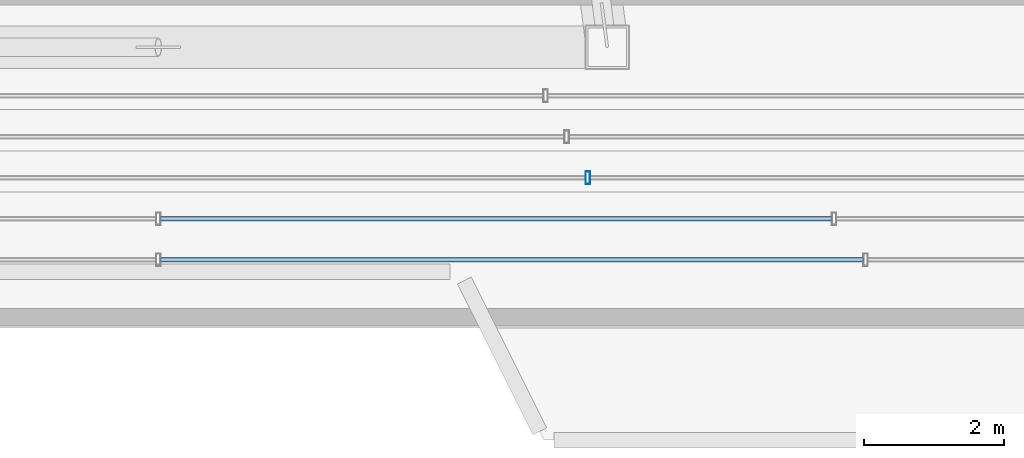
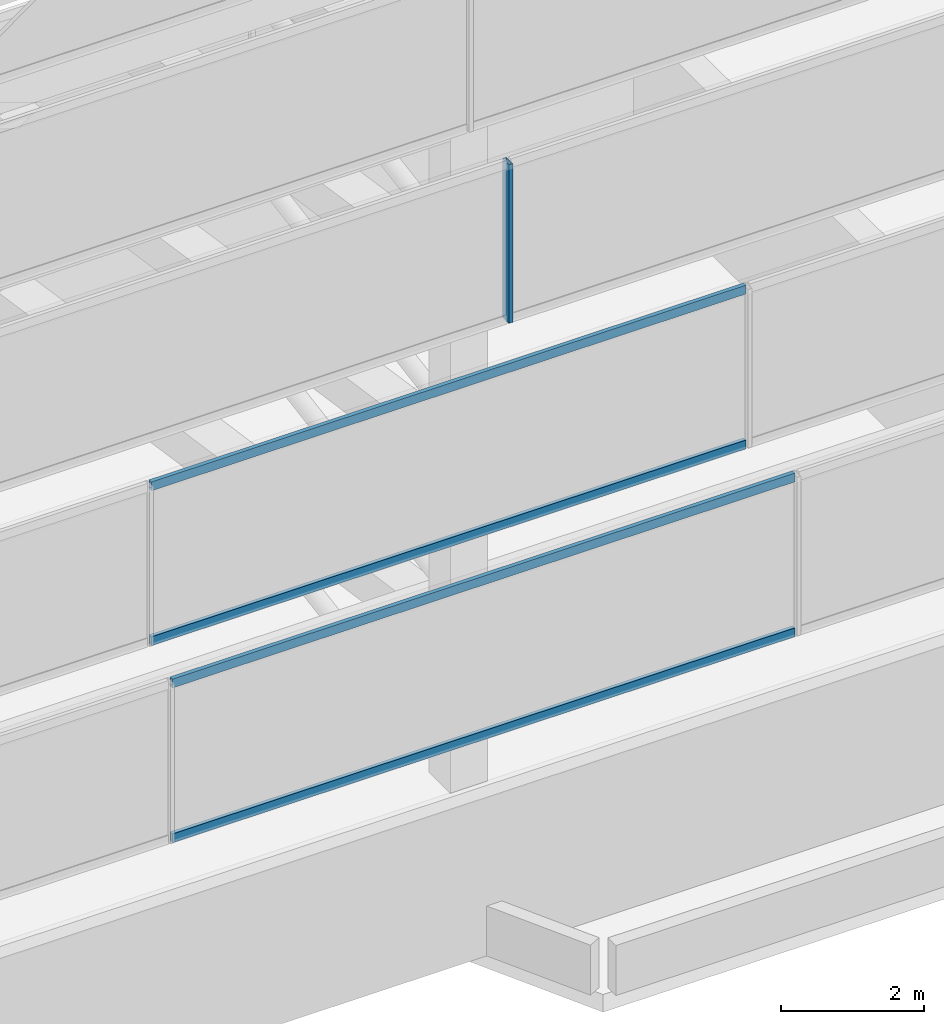
# One storey, part 8 of 29: 5 members, 3 elements without a shape of their own.
"""IFC4 building model written with IfcOpenShell, lengths in metres."""

from ifc_helpers import new_model, si_unit, direction, frame, origin, origin_2d, place, context, subcontext, project, spatial, hollow_rectangle, extrude, material, material_profile, profile_set, type_object, element, aggregate, save


model = new_model("IFC4")

# Units and contexts
model_context = context("Model", 3, precision=1e-05, world=origin(), true_north=direction((0.0, 1.0)))
body_context = subcontext(model_context, "Body", "Model", "MODEL_VIEW")
ifc_project = project(units=[si_unit("LENGTHUNIT", "METRE"), si_unit("AREAUNIT", "SQUARE_METRE"), si_unit("VOLUMEUNIT", "CUBIC_METRE"), si_unit("PLANEANGLEUNIT", "RADIAN"), si_unit("MASSUNIT", "GRAM", prefix="KILO")], contexts=[model_context])

# Site, building, storey
site_placement = place(None, origin())
site = spatial("IfcSite", under=ifc_project, at=site_placement, CompositionType="ELEMENT")
building_placement = place(site_placement, origin())
building = spatial("IfcBuilding", under=site, at=building_placement, Name="Saevonmaru Cultural Tower", CompositionType="ELEMENT")
storey_placement = place(building_placement, frame((0.0, 0.0, 327.60009765625)))
storey = spatial("IfcBuildingStorey", under=building, at=storey_placement, Name="RF", CompositionType="ELEMENT", Elevation=327.60009765625)

# Curtain wall, member
ifc_material = material(Name="Satin Bronze Anodised Aluminium", Category="aluminium")
curtain_wall_type = type_object("IfcCurtainWallType", Name="CW-TYP-B", PredefinedType="NOTDEFINED", material=ifc_material)
curtain_wall_1_placement = place(storey_placement, origin())
curtain_wall_1 = element("IfcCurtainWall", 1, at=curtain_wall_1_placement, inside=storey, type_object=curtain_wall_type, Name="RF Ziggurat Crown Tier 4 Bronze Louvre Screen 1", PredefinedType="NOTDEFINED")
ifc_material_profile_1 = material_profile(ifc_material, hollow_rectangle(XDim=0.06494140625, YDim=0.179931640625, WallThickness=0.00390625, at=origin_2d()), Name="ALU-MULL-180x65x4")
ifc_profile_set_1 = profile_set([ifc_material_profile_1], Name="Satin Bronze Anodised Aluminium")
member_type_1 = type_object("IfcMemberType", Name="ML-CW-180x65", PredefinedType="MULLION", material=ifc_profile_set_1)
member_1_placement = place(storey_placement, frame((36.122314453125, 40.5400390625, 9.0), z_axis=(0.0, 0.0, 1.0), x_axis=(1.0, 0.0, 0.0)))
member_1 = element("IfcMember", 2, at=member_1_placement, type_object=member_type_1, Name="CW-CROWN-T4-1 mullion 3", PredefinedType="MULLION", context=body_context, shape_type="SweptSolid", body=[
    extrude(hollow_rectangle(XDim=0.06494140625, YDim=0.179931640625, WallThickness=0.00390625, at=origin_2d()), origin(), (0.0, 0.0, 1.0), 2.699951171875),
])
aggregate(curtain_wall_1, [member_1])

# Curtain wall, members
curtain_wall_2_placement = place(storey_placement, origin())
curtain_wall_2 = element("IfcCurtainWall", 3, at=curtain_wall_2_placement, inside=storey, type_object=curtain_wall_type, Name="RF Ziggurat Crown Tier 2 Bronze Louvre Screen 1", PredefinedType="NOTDEFINED")
ifc_material_profile_2 = material_profile(ifc_material, hollow_rectangle(XDim=0.06494140625, YDim=0.14990234375, WallThickness=0.00390625, at=origin_2d()), Name="ALU-TRAN-150x65x4")
ifc_profile_set_2 = profile_set([ifc_material_profile_2], Name="Satin Bronze Anodised Aluminium")
member_type_2 = type_object("IfcMemberType", Name="TR-CW-150x65", PredefinedType="USERDEFINED", material=ifc_profile_set_2)
member_2_placement = place(storey_placement, frame((30.032470703125, 39.3701171875, 3.032470703125), z_axis=(1.0, 0.0, 0.0), x_axis=(0.0, 1.0, 0.0)))
member_2 = element("IfcMember", 4, at=member_2_placement, type_object=member_type_2, Name="CW-CROWN-T2-1 transom 3.1", ObjectType="TRANSOM", PredefinedType="USERDEFINED", context=body_context, shape_type="SweptSolid", body=[
    extrude(hollow_rectangle(XDim=0.06494140625, YDim=0.14990234375, WallThickness=0.00390625, at=origin_2d()), origin(), (0.0, 0.0, 1.0), 10.0185546875),
])
member_3_placement = place(storey_placement, frame((30.032470703125, 39.3701171875, 5.66748046875), z_axis=(1.0, 0.0, 0.0), x_axis=(0.0, 1.0, 0.0)))
member_3 = element("IfcMember", 5, at=member_3_placement, type_object=member_type_2, Name="CW-CROWN-T2-1 transom 3.2", ObjectType="TRANSOM", PredefinedType="USERDEFINED", context=body_context, shape_type="SweptSolid", body=[
    extrude(hollow_rectangle(XDim=0.06494140625, YDim=0.14990234375, WallThickness=0.00390625, at=origin_2d()), origin(), (0.0, 0.0, 1.0), 10.0185546875),
])
aggregate(curtain_wall_2, [member_2, member_3])

curtain_wall_3_placement = place(storey_placement, origin())
curtain_wall_3 = element("IfcCurtainWall", 6, at=curtain_wall_3_placement, inside=storey, type_object=curtain_wall_type, Name="RF Ziggurat Crown Tier 3 Bronze Louvre Screen 1", PredefinedType="NOTDEFINED")
member_4_placement = place(storey_placement, frame((30.032470703125, 39.955078125, 6.032470703125), z_axis=(1.0, 0.0, 0.0), x_axis=(0.0, 1.0, 0.0)))
member_4 = element("IfcMember", 7, at=member_4_placement, type_object=member_type_2, Name="CW-CROWN-T3-1 transom 3.1", ObjectType="TRANSOM", PredefinedType="USERDEFINED", context=body_context, shape_type="SweptSolid", body=[
    extrude(hollow_rectangle(XDim=0.06494140625, YDim=0.14990234375, WallThickness=0.00390625, at=origin_2d()), origin(), (0.0, 0.0, 1.0), 9.568603515625),
])
member_5_placement = place(storey_placement, frame((30.032470703125, 39.955078125, 8.66748046875), z_axis=(1.0, 0.0, 0.0), x_axis=(0.0, 1.0, 0.0)))
member_5 = element("IfcMember", 8, at=member_5_placement, type_object=member_type_2, Name="CW-CROWN-T3-1 transom 3.2", ObjectType="TRANSOM", PredefinedType="USERDEFINED", context=body_context, shape_type="SweptSolid", body=[
    extrude(hollow_rectangle(XDim=0.06494140625, YDim=0.14990234375, WallThickness=0.00390625, at=origin_2d()), origin(), (0.0, 0.0, 1.0), 9.568603515625),
])
aggregate(curtain_wall_3, [member_4, member_5])

save(model, "model.ifc")
